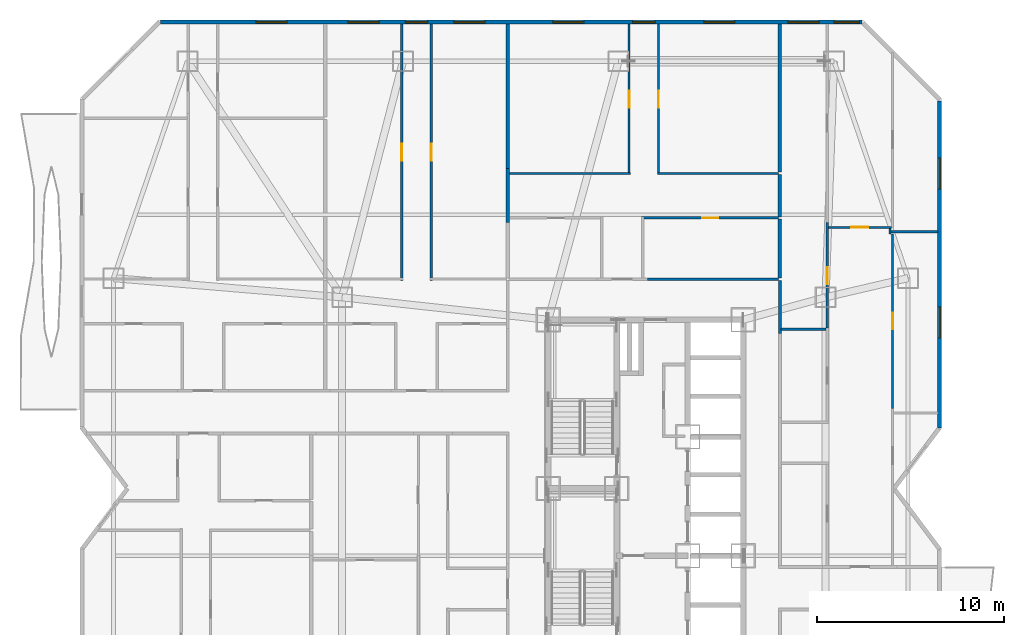
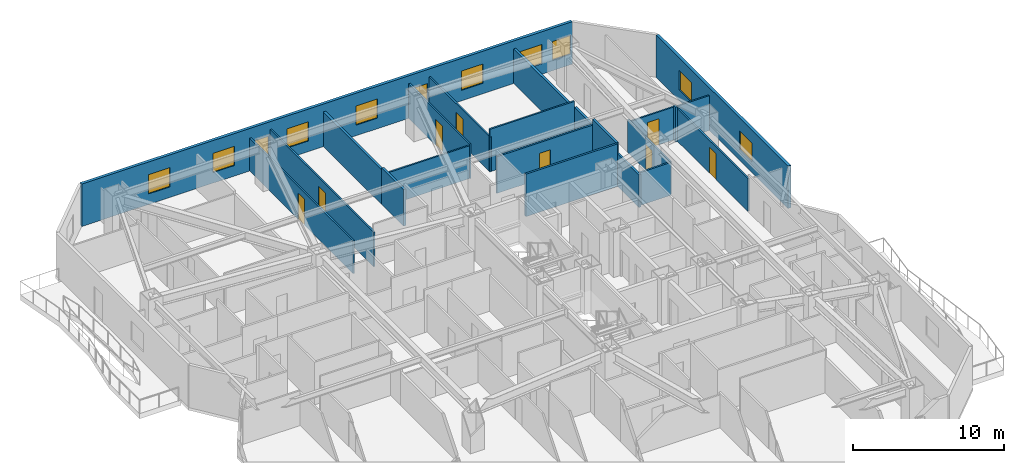
# One storey, part 13 of 16: 22 walls, 11 windows, 8 doors, 19 openings.
"""IFC4 building model written with IfcOpenShell, lengths in metres."""

from ifc_helpers import new_model, si_unit, direction, frame, frame_2d, origin, place, context, subcontext, project, spatial, rectangle, extrude, material, layer, layer_set, type_object, element, fill, save


model = new_model("IFC4")

# Units and contexts
model_context = context("Model", 3, precision=1e-05, world=origin(), true_north=direction((0.0, 1.0)))
body_context = subcontext(model_context, "Body", "Model", "MODEL_VIEW")
ifc_project = project(units=[si_unit("LENGTHUNIT", "METRE"), si_unit("AREAUNIT", "SQUARE_METRE"), si_unit("VOLUMEUNIT", "CUBIC_METRE"), si_unit("PLANEANGLEUNIT", "RADIAN"), si_unit("MASSUNIT", "GRAM", prefix="KILO")], contexts=[model_context])

# Site, building, storey
site_placement = place(None, origin())
site = spatial("IfcSite", under=ifc_project, at=site_placement, CompositionType="ELEMENT")
building_placement = place(site_placement, origin())
building = spatial("IfcBuilding", under=site, at=building_placement, Name="Khamvora Tower", CompositionType="ELEMENT")
storey_placement = place(building_placement, frame((0.0, 0.0, 55.199951171875)))
storey = spatial("IfcBuildingStorey", under=building, at=storey_placement, Name="L13", CompositionType="ELEMENT", Elevation=55.199951171875)

# Walls
ifc_material_1 = material(Name="Fire-Rated Drywall and Steel Stud", Category="steel")
ifc_layer_1 = layer(ifc_material_1, 0.14990234375)
ifc_layer_set_1 = layer_set([ifc_layer_1], Name="Fire-Rated Drywall and Steel Stud")
wall_type_1 = type_object("IfcWallType", Name="WAL-CORR-150", PredefinedType="STANDARD", material=ifc_layer_set_1)
wall_1_placement = place(storey_placement, frame((34.299072265625, 39.1650390625, 0.0), z_axis=(0.0, 0.0, 1.0), x_axis=(1.0, 0.0, 0.0)))
element("IfcWall", 1, at=wall_1_placement, inside=storey, type_object=wall_type_1, Name="L13 interior partition wall 027", PredefinedType="STANDARD", context=body_context, shape_type="SweptSolid", body=[
    extrude(rectangle(XDim=7.0009765625, YDim=0.14990234375, at=frame_2d((3.50048828125, 0.0))), origin(), (0.0, 0.0, 1.0), 3.429931640625),
])
wall_2_placement = place(storey_placement, frame((41.364990234375, 39.10009765625, 0.0), z_axis=(0.0, 0.0, 1.0), x_axis=(0.0, -1.0, 0.0)))
element("IfcWall", 2, at=wall_2_placement, inside=storey, type_object=wall_type_1, Name="L13 interior partition wall 033", PredefinedType="STANDARD", context=body_context, shape_type="SweptSolid", body=[
    extrude(rectangle(XDim=2.843017578125, YDim=0.14990234375, at=frame_2d((1.42138671875, 0.0))), origin(), (0.0, 0.0, 1.0), 2.64697265625),
])
ifc_material_2 = material(Name="Acoustic Double-Stud Fire Wall", Category="gypsum")
ifc_layer_2 = layer(ifc_material_2, 0.179931640625)
ifc_layer_set_2 = layer_set([ifc_layer_2], Name="Acoustic Double-Stud Fire Wall")
wall_type_2 = type_object("IfcWallType", Name="WAL-CORR-180", PredefinedType="STANDARD", material=ifc_layer_set_2)
wall_3_placement = place(storey_placement, frame((26.8349609375, 45.06298828125, 0.0), z_axis=(0.0, 0.0, 1.0), x_axis=(0.0, -1.0, 0.0)))
element("IfcWall", 3, at=wall_3_placement, inside=storey, type_object=wall_type_2, Name="L13 interior partition wall 099", PredefinedType="STANDARD", context=body_context, shape_type="SweptSolid", body=[
    extrude(rectangle(XDim=2.8779296875, YDim=0.179931640625, at=frame_2d((1.43896484375, 0.0))), origin(), (0.0, 0.0, 1.0), 2.95703125),
])
wall_4_placement = place(storey_placement, frame((26.8349609375, 52.7880859375, 0.0), z_axis=(0.0, 0.0, 1.0), x_axis=(0.0, -1.0, 0.0)))
element("IfcWall", 4, at=wall_4_placement, inside=storey, type_object=wall_type_2, Name="L13 interior partition wall 101", PredefinedType="STANDARD", context=body_context, shape_type="SweptSolid", body=[
    extrude(rectangle(XDim=7.72509765625, YDim=0.179931640625, at=frame_2d((3.862548828125, 0.0))), origin(), (0.0, 0.0, 1.0), 2.802978515625),
])
wall_5_placement = place(storey_placement, frame((41.364990234375, 44.7490234375, 0.0), z_axis=(0.0, 0.0, 1.0), x_axis=(0.0, -1.0, 0.0)))
element("IfcWall", 5, at=wall_5_placement, inside=storey, type_object=wall_type_2, Name="L13 interior partition wall 122", PredefinedType="STANDARD", context=body_context, shape_type="SweptSolid", body=[
    extrude(rectangle(XDim=2.25, YDim=0.179931640625, at=frame_2d((1.125, 0.0))), origin(), (0.0, 0.0, 1.0), 2.95703125),
])
wall_6_placement = place(storey_placement, frame((41.364990234375, 42.368896484375, 0.0), z_axis=(0.0, 0.0, 1.0), x_axis=(0.0, -1.0, 0.0)))
element("IfcWall", 6, at=wall_6_placement, inside=storey, type_object=wall_type_2, Name="L13 interior partition wall 123", PredefinedType="STANDARD", context=body_context, shape_type="SweptSolid", body=[
    extrude(rectangle(XDim=3.138916015625, YDim=0.179931640625, at=frame_2d((1.5693359375, 0.0))), origin(), (0.0, 0.0, 1.0), 3.429931640625),
])
wall_7_placement = place(storey_placement, frame((41.364990234375, 52.7880859375, 0.0), z_axis=(0.0, 0.0, 1.0), x_axis=(0.0, -1.0, 0.0)))
element("IfcWall", 7, at=wall_7_placement, inside=storey, type_object=wall_type_2, Name="L13 interior partition wall 124", PredefinedType="STANDARD", context=body_context, shape_type="SweptSolid", body=[
    extrude(rectangle(XDim=7.9091796875, YDim=0.179931640625, at=frame_2d((3.95458984375, 0.0))), origin(), (0.0, 0.0, 1.0), 2.802978515625),
])

# Wall, openings, windows
ifc_material_3 = material(Name="Precast concrete C40/50", Category="concrete")
ifc_layer_3 = layer(ifc_material_3, 0.219970703125)
ifc_layer_set_3 = layer_set([ifc_layer_3], Name="Precast concrete C40/50")
wall_type_3 = type_object("IfcWallType", Name="WAL-EXT-220", PredefinedType="STANDARD", material=ifc_layer_set_3)
wall_8_placement = place(storey_placement, frame((8.31494140625, 52.889892578125, 0.0), z_axis=(0.0, 0.0, 1.0), x_axis=(1.0, 0.0, 0.0)))
wall_8 = element("IfcWall", 8, at=wall_8_placement, inside=storey, type_object=wall_type_3, Name="L13 exterior facade wall 07.1", PredefinedType="STANDARD", context=body_context, shape_type="SweptSolid", body=[
    extrude(rectangle(XDim=37.43896484375, YDim=0.219970703125, at=frame_2d((18.719482421875, 0.0))), origin(), (0.0, 0.0, 1.0), 3.429931640625),
])
opening_1_placement = place(wall_8_placement, frame((5.093017578125, 0.0, 0.85009765625)))
opening_1 = element("IfcOpeningElement", 9, at=opening_1_placement, cuts=wall_8, Name="Opening WN-06", PredefinedType="OPENING", context=body_context, shape_type="SweptSolid", body=[
    extrude(rectangle(XDim=1.64990234375, YDim=1.550048828125, at=frame_2d((0.824951171875, 0.77490234375))), frame((0.0, 0.119873046875, 0.0), z_axis=(0.0, -1.0, 0.0), x_axis=(1.0, 0.0, 0.0)), (0.0, 0.0, 1.0), 0.239990234375),
])
opening_2_placement = place(wall_8_placement, frame((13.054931640625, 0.0, 0.800048828125)))
opening_2 = element("IfcOpeningElement", 10, at=opening_2_placement, cuts=wall_8, Name="Opening WN-03", PredefinedType="OPENING", context=body_context, shape_type="SweptSolid", body=[
    extrude(rectangle(XDim=1.199951171875, YDim=1.5, at=frame_2d((0.60009765625, 0.75))), frame((0.0, 0.119873046875, 0.0), z_axis=(0.0, -1.0, 0.0), x_axis=(1.0, 0.0, 0.0)), (0.0, 0.0, 1.0), 0.239990234375),
])
opening_3_placement = place(wall_8_placement, frame((10.0048828125, 0.0, 0.85009765625)))
opening_3 = element("IfcOpeningElement", 11, at=opening_3_placement, cuts=wall_8, Name="Opening WN-06", PredefinedType="OPENING", context=body_context, shape_type="SweptSolid", body=[
    extrude(rectangle(XDim=1.64990234375, YDim=1.550048828125, at=frame_2d((0.824951171875, 0.77490234375))), frame((0.0, 0.119873046875, 0.0), z_axis=(0.0, -1.0, 0.0), x_axis=(1.0, 0.0, 0.0)), (0.0, 0.0, 1.0), 0.239990234375),
])
opening_4_placement = place(wall_8_placement, frame((15.655029296875, 0.0, 0.85009765625)))
opening_4 = element("IfcOpeningElement", 12, at=opening_4_placement, cuts=wall_8, Name="Opening WN-06", PredefinedType="OPENING", context=body_context, shape_type="SweptSolid", body=[
    extrude(rectangle(XDim=1.64990234375, YDim=1.550048828125, at=frame_2d((0.824951171875, 0.77490234375))), frame((0.0, 0.119873046875, 0.0), z_axis=(0.0, -1.0, 0.0), x_axis=(1.0, 0.0, 0.0)), (0.0, 0.0, 1.0), 0.239990234375),
])
opening_5_placement = place(wall_8_placement, frame((25.18505859375, 0.0, 0.800048828125)))
opening_5 = element("IfcOpeningElement", 13, at=opening_5_placement, cuts=wall_8, Name="Opening WN-03", PredefinedType="OPENING", context=body_context, shape_type="SweptSolid", body=[
    extrude(rectangle(XDim=1.199951171875, YDim=1.5, at=frame_2d((0.60009765625, 0.75))), frame((0.0, 0.119873046875, 0.0), z_axis=(0.0, -1.0, 0.0), x_axis=(1.0, 0.0, 0.0)), (0.0, 0.0, 1.0), 0.239990234375),
])
opening_6_placement = place(wall_8_placement, frame((20.93505859375, 0.0, 0.85009765625)))
opening_6 = element("IfcOpeningElement", 14, at=opening_6_placement, cuts=wall_8, Name="Opening WN-06", PredefinedType="OPENING", context=body_context, shape_type="SweptSolid", body=[
    extrude(rectangle(XDim=1.64990234375, YDim=1.550048828125, at=frame_2d((0.824951171875, 0.77490234375))), frame((0.0, 0.119873046875, 0.0), z_axis=(0.0, -1.0, 0.0), x_axis=(1.0, 0.0, 0.0)), (0.0, 0.0, 1.0), 0.239990234375),
])
opening_7_placement = place(wall_8_placement, frame((28.985107421875, 0.0, 0.85009765625)))
opening_7 = element("IfcOpeningElement", 15, at=opening_7_placement, cuts=wall_8, Name="Opening WN-06", PredefinedType="OPENING", context=body_context, shape_type="SweptSolid", body=[
    extrude(rectangle(XDim=1.64990234375, YDim=1.550048828125, at=frame_2d((0.824951171875, 0.77490234375))), frame((0.0, 0.119873046875, 0.0), z_axis=(0.0, -1.0, 0.0), x_axis=(1.0, 0.0, 0.0)), (0.0, 0.0, 1.0), 0.239990234375),
])
opening_8_placement = place(wall_8_placement, frame((33.489990234375, 0.0, 0.85009765625)))
opening_8 = element("IfcOpeningElement", 16, at=opening_8_placement, cuts=wall_8, Name="Opening WN-06", PredefinedType="OPENING", context=body_context, shape_type="SweptSolid", body=[
    extrude(rectangle(XDim=1.64990234375, YDim=1.550048828125, at=frame_2d((0.824951171875, 0.77490234375))), frame((0.0, 0.119873046875, 0.0), z_axis=(0.0, -1.0, 0.0), x_axis=(1.0, 0.0, 0.0)), (0.0, 0.0, 1.0), 0.239990234375),
])
opening_9_placement = place(wall_8_placement, frame((35.94189453125, 0.0, 0.85009765625)))
opening_9 = element("IfcOpeningElement", 17, at=opening_9_placement, cuts=wall_8, Name="Opening WN-07", PredefinedType="OPENING", context=body_context, shape_type="SweptSolid", body=[
    extrude(rectangle(XDim=1.35009765625, YDim=1.5, at=frame_2d((0.675048828125, 0.75))), frame((0.0, 0.119873046875, 0.0), z_axis=(0.0, -1.0, 0.0), x_axis=(1.0, 0.0, 0.0)), (0.0, 0.0, 1.0), 0.239990234375),
])
ifc_material_4 = material(Name="Low-E Laminated Double Glazing", Category="glass")
window_type_1 = type_object("IfcWindowType", Name="WIN-VIS-1200x1500", PartitioningType="SINGLE_PANEL", PredefinedType="WINDOW", material=ifc_material_4)
window_1_placement = place(opening_2_placement, origin())
window_1 = element("IfcWindow", 18, at=window_1_placement, inside=storey, type_object=window_type_1, Name="L13 vision window 07.1.02", OverallHeight=1.5, OverallWidth=1.199951171875, PartitioningType="SINGLE_PANEL", PredefinedType="WINDOW", context=body_context, shape_type="SweptSolid", body=[
    extrude(rectangle(XDim=1.199951171875, YDim=1.5, at=frame_2d((0.60009765625, 0.75))), frame((0.0, 0.030029296875, 0.0), z_axis=(0.0, -1.0, 0.0), x_axis=(1.0, 0.0, 0.0)), (0.0, 0.0, 1.0), 0.06005859375),
])
fill(opening_2, window_1)
window_2_placement = place(opening_5_placement, origin())
window_2 = element("IfcWindow", 19, at=window_2_placement, inside=storey, type_object=window_type_1, Name="L13 vision window 07.1.05", OverallHeight=1.5, OverallWidth=1.199951171875, PartitioningType="SINGLE_PANEL", PredefinedType="WINDOW", context=body_context, shape_type="SweptSolid", body=[
    extrude(rectangle(XDim=1.199951171875, YDim=1.5, at=frame_2d((0.60009765625, 0.75))), frame((0.0, 0.030029296875, 0.0), z_axis=(0.0, -1.0, 0.0), x_axis=(1.0, 0.0, 0.0)), (0.0, 0.0, 1.0), 0.06005859375),
])
fill(opening_5, window_2)
window_type_2 = type_object("IfcWindowType", Name="WIN-VIS-1350x1500", PartitioningType="SINGLE_PANEL", PredefinedType="WINDOW", material=ifc_material_4)
window_3_placement = place(opening_9_placement, origin())
window_3 = element("IfcWindow", 20, at=window_3_placement, inside=storey, type_object=window_type_2, Name="L13 vision window 07.1.09", OverallHeight=1.5, OverallWidth=1.35009765625, PartitioningType="SINGLE_PANEL", PredefinedType="WINDOW", context=body_context, shape_type="SweptSolid", body=[
    extrude(rectangle(XDim=1.35009765625, YDim=1.5, at=frame_2d((0.675048828125, 0.75))), frame((0.0, 0.030029296875, 0.0), z_axis=(0.0, -1.0, 0.0), x_axis=(1.0, 0.0, 0.0)), (0.0, 0.0, 1.0), 0.06005859375),
])
fill(opening_9, window_3)
window_type_3 = type_object("IfcWindowType", Name="WIN-VIS-1650x1550", PartitioningType="SINGLE_PANEL", PredefinedType="WINDOW", material=ifc_material_4)
window_4_placement = place(opening_1_placement, origin())
window_4 = element("IfcWindow", 21, at=window_4_placement, inside=storey, type_object=window_type_3, Name="L13 vision window 07.1.01", OverallHeight=1.550048828125, OverallWidth=1.64990234375, PartitioningType="SINGLE_PANEL", PredefinedType="WINDOW", context=body_context, shape_type="SweptSolid", body=[
    extrude(rectangle(XDim=1.64990234375, YDim=1.550048828125, at=frame_2d((0.824951171875, 0.77490234375))), frame((0.0, 0.030029296875, 0.0), z_axis=(0.0, -1.0, 0.0), x_axis=(1.0, 0.0, 0.0)), (0.0, 0.0, 1.0), 0.06005859375),
])
fill(opening_1, window_4)
window_5_placement = place(opening_3_placement, origin())
window_5 = element("IfcWindow", 22, at=window_5_placement, inside=storey, type_object=window_type_3, Name="L13 vision window 07.1.03", OverallHeight=1.550048828125, OverallWidth=1.64990234375, PartitioningType="SINGLE_PANEL", PredefinedType="WINDOW", context=body_context, shape_type="SweptSolid", body=[
    extrude(rectangle(XDim=1.64990234375, YDim=1.550048828125, at=frame_2d((0.824951171875, 0.77490234375))), frame((0.0, 0.030029296875, 0.0), z_axis=(0.0, -1.0, 0.0), x_axis=(1.0, 0.0, 0.0)), (0.0, 0.0, 1.0), 0.06005859375),
])
fill(opening_3, window_5)
window_6_placement = place(opening_4_placement, origin())
window_6 = element("IfcWindow", 23, at=window_6_placement, inside=storey, type_object=window_type_3, Name="L13 vision window 07.1.04", OverallHeight=1.550048828125, OverallWidth=1.64990234375, PartitioningType="SINGLE_PANEL", PredefinedType="WINDOW", context=body_context, shape_type="SweptSolid", body=[
    extrude(rectangle(XDim=1.64990234375, YDim=1.550048828125, at=frame_2d((0.824951171875, 0.77490234375))), frame((0.0, 0.030029296875, 0.0), z_axis=(0.0, -1.0, 0.0), x_axis=(1.0, 0.0, 0.0)), (0.0, 0.0, 1.0), 0.06005859375),
])
fill(opening_4, window_6)
window_7_placement = place(opening_6_placement, origin())
window_7 = element("IfcWindow", 24, at=window_7_placement, inside=storey, type_object=window_type_3, Name="L13 vision window 07.1.06", OverallHeight=1.550048828125, OverallWidth=1.64990234375, PartitioningType="SINGLE_PANEL", PredefinedType="WINDOW", context=body_context, shape_type="SweptSolid", body=[
    extrude(rectangle(XDim=1.64990234375, YDim=1.550048828125, at=frame_2d((0.824951171875, 0.77490234375))), frame((0.0, 0.030029296875, 0.0), z_axis=(0.0, -1.0, 0.0), x_axis=(1.0, 0.0, 0.0)), (0.0, 0.0, 1.0), 0.06005859375),
])
fill(opening_6, window_7)
window_8_placement = place(opening_7_placement, origin())
window_8 = element("IfcWindow", 25, at=window_8_placement, inside=storey, type_object=window_type_3, Name="L13 vision window 07.1.07", OverallHeight=1.550048828125, OverallWidth=1.64990234375, PartitioningType="SINGLE_PANEL", PredefinedType="WINDOW", context=body_context, shape_type="SweptSolid", body=[
    extrude(rectangle(XDim=1.64990234375, YDim=1.550048828125, at=frame_2d((0.824951171875, 0.77490234375))), frame((0.0, 0.030029296875, 0.0), z_axis=(0.0, -1.0, 0.0), x_axis=(1.0, 0.0, 0.0)), (0.0, 0.0, 1.0), 0.06005859375),
])
fill(opening_7, window_8)
window_9_placement = place(opening_8_placement, origin())
window_9 = element("IfcWindow", 26, at=window_9_placement, inside=storey, type_object=window_type_3, Name="L13 vision window 07.1.08", OverallHeight=1.550048828125, OverallWidth=1.64990234375, PartitioningType="SINGLE_PANEL", PredefinedType="WINDOW", context=body_context, shape_type="SweptSolid", body=[
    extrude(rectangle(XDim=1.64990234375, YDim=1.550048828125, at=frame_2d((0.824951171875, 0.77490234375))), frame((0.0, 0.030029296875, 0.0), z_axis=(0.0, -1.0, 0.0), x_axis=(1.0, 0.0, 0.0)), (0.0, 0.0, 1.0), 0.06005859375),
])
fill(opening_8, window_9)

wall_9_placement = place(storey_placement, frame((49.889892578125, 48.68310546875, 0.0), z_axis=(0.0, 0.0, 1.0), x_axis=(0.0, -1.0, 0.0)))
wall_9 = element("IfcWall", 27, at=wall_9_placement, inside=storey, type_object=wall_type_3, Name="L13 exterior facade wall 09.1", PredefinedType="STANDARD", context=body_context, shape_type="SweptSolid", body=[
    extrude(rectangle(XDim=17.446044921875, YDim=0.219970703125, at=frame_2d((8.72314453125, 0.0))), origin(), (0.0, 0.0, 1.0), 3.429931640625),
])
opening_10_placement = place(wall_9_placement, frame((10.99609375, 0.0, 0.85009765625)))
opening_10 = element("IfcOpeningElement", 28, at=opening_10_placement, cuts=wall_9, Name="Opening WN-06", PredefinedType="OPENING", context=body_context, shape_type="SweptSolid", body=[
    extrude(rectangle(XDim=1.64990234375, YDim=1.550048828125, at=frame_2d((0.824951171875, 0.77490234375))), frame((0.0, 0.119873046875, 0.0), z_axis=(0.0, -1.0, 0.0), x_axis=(1.0, 0.0, 0.0)), (0.0, 0.0, 1.0), 0.239990234375),
])
opening_11_placement = place(wall_9_placement, frame((3.06103515625, 0.0, 0.85009765625)))
opening_11 = element("IfcOpeningElement", 29, at=opening_11_placement, cuts=wall_9, Name="Opening WN-06", PredefinedType="OPENING", context=body_context, shape_type="SweptSolid", body=[
    extrude(rectangle(XDim=1.64990234375, YDim=1.550048828125, at=frame_2d((0.824951171875, 0.77490234375))), frame((0.0, 0.119873046875, 0.0), z_axis=(0.0, -1.0, 0.0), x_axis=(1.0, 0.0, 0.0)), (0.0, 0.0, 1.0), 0.239990234375),
])
window_10_placement = place(opening_10_placement, origin())
window_10 = element("IfcWindow", 30, at=window_10_placement, inside=storey, type_object=window_type_3, Name="L13 vision window 09.1.01", OverallHeight=1.550048828125, OverallWidth=1.64990234375, PartitioningType="SINGLE_PANEL", PredefinedType="WINDOW", context=body_context, shape_type="SweptSolid", body=[
    extrude(rectangle(XDim=1.64990234375, YDim=1.550048828125, at=frame_2d((0.824951171875, 0.77490234375))), frame((0.0, 0.030029296875, 0.0), z_axis=(0.0, -1.0, 0.0), x_axis=(1.0, 0.0, 0.0)), (0.0, 0.0, 1.0), 0.06005859375),
])
fill(opening_10, window_10)
window_11_placement = place(opening_11_placement, origin())
window_11 = element("IfcWindow", 31, at=window_11_placement, inside=storey, type_object=window_type_3, Name="L13 vision window 09.1.02", OverallHeight=1.550048828125, OverallWidth=1.64990234375, PartitioningType="SINGLE_PANEL", PredefinedType="WINDOW", context=body_context, shape_type="SweptSolid", body=[
    extrude(rectangle(XDim=1.64990234375, YDim=1.550048828125, at=frame_2d((0.824951171875, 0.77490234375))), frame((0.0, 0.030029296875, 0.0), z_axis=(0.0, -1.0, 0.0), x_axis=(1.0, 0.0, 0.0)), (0.0, 0.0, 1.0), 0.06005859375),
])
fill(opening_11, window_11)

# Wall, opening, door
ifc_material_5 = material(Name="Gypsum Plasterboard Partition", Category="gypsum")
ifc_layer_4 = layer(ifc_material_5, 0.1201171875)
ifc_layer_set_4 = layer_set([ifc_layer_4], Name="Gypsum Plasterboard Partition")
wall_type_4 = type_object("IfcWallType", Name="WAL-PART-120", PredefinedType="PARTITIONING", material=ifc_layer_set_4)
wall_10_placement = place(storey_placement, frame((21.18505859375, 39.110107421875, 0.0), z_axis=(0.0, 0.0, 1.0), x_axis=(0.0, 1.0, 0.0)))
wall_10 = element("IfcWall", 32, at=wall_10_placement, inside=storey, type_object=wall_type_4, Name="L13 interior partition wall 096", PredefinedType="PARTITIONING", context=body_context, shape_type="SweptSolid", body=[
    extrude(rectangle(XDim=13.677978515625, YDim=0.1201171875, at=frame_2d((6.8388671875, 0.0))), origin(), (0.0, 0.0, 1.0), 2.64697265625),
])
opening_12_placement = place(wall_10_placement, frame((6.388916015625, 0.0, 0.0)))
opening_12 = element("IfcOpeningElement", 33, at=opening_12_placement, cuts=wall_10, Name="Opening D-RM1", PredefinedType="OPENING", context=body_context, shape_type="SweptSolid", body=[
    extrude(rectangle(XDim=0.89990234375, YDim=2.10009765625, at=frame_2d((0.449951171875, 1.050048828125))), frame((0.0, 0.070068359375, 0.0), z_axis=(0.0, -1.0, 0.0), x_axis=(1.0, 0.0, 0.0)), (0.0, 0.0, 1.0), 0.14013671875),
])
ifc_material_6 = material(Name="Powder-Coated Steel and Hardwood Leaf", Category="steel")
door_type_1 = type_object("IfcDoorType", Name="DOR-ROOM-900", OperationType="NOTDEFINED", PredefinedType="DOOR", material=ifc_material_6)
door_1_placement = place(opening_12_placement, origin())
door_1 = element("IfcDoor", 34, at=door_1_placement, inside=storey, type_object=door_type_1, Name="L13 interior door 13WCH-13WCR1", OperationType="SINGLE_SWING_LEFT", OverallHeight=2.10009765625, OverallWidth=0.89990234375, PredefinedType="DOOR", context=body_context, shape_type="SweptSolid", body=[
    extrude(rectangle(XDim=0.89990234375, YDim=2.10009765625, at=frame_2d((0.449951171875, 1.050048828125))), frame((0.0, 0.02490234375, 0.0), z_axis=(0.0, -1.0, 0.0), x_axis=(1.0, 0.0, 0.0)), (0.0, 0.0, 1.0), 0.050048828125),
])
fill(opening_12, door_1)

wall_11_placement = place(storey_placement, frame((22.7548828125, 52.7880859375, 0.0), z_axis=(0.0, 0.0, 1.0), x_axis=(0.0, -1.0, 0.0)))
wall_11 = element("IfcWall", 35, at=wall_11_placement, inside=storey, type_object=wall_type_4, Name="L13 interior partition wall 097", PredefinedType="PARTITIONING", context=body_context, shape_type="SweptSolid", body=[
    extrude(rectangle(XDim=13.677978515625, YDim=0.1201171875, at=frame_2d((6.8388671875, 0.0))), origin(), (0.0, 0.0, 1.0), 2.802978515625),
])
opening_13_placement = place(wall_11_placement, frame((6.388916015625, 0.0, 0.0)))
opening_13 = element("IfcOpeningElement", 36, at=opening_13_placement, cuts=wall_11, Name="Opening D-RM1", PredefinedType="OPENING", context=body_context, shape_type="SweptSolid", body=[
    extrude(rectangle(XDim=0.89990234375, YDim=2.10009765625, at=frame_2d((0.449951171875, 1.050048828125))), frame((0.0, 0.070068359375, 0.0), z_axis=(0.0, -1.0, 0.0), x_axis=(1.0, 0.0, 0.0)), (0.0, 0.0, 1.0), 0.14013671875),
])
door_2_placement = place(opening_13_placement, origin())
door_2 = element("IfcDoor", 37, at=door_2_placement, inside=storey, type_object=door_type_1, Name="L13 interior door 13WCH-13WCR2", OperationType="SINGLE_SWING_RIGHT", OverallHeight=2.10009765625, OverallWidth=0.89990234375, PredefinedType="DOOR", context=body_context, shape_type="SweptSolid", body=[
    extrude(rectangle(XDim=0.89990234375, YDim=2.10009765625, at=frame_2d((0.449951171875, 1.050048828125))), frame((0.0, 0.02490234375, 0.0), z_axis=(0.0, -1.0, 0.0), x_axis=(1.0, 0.0, 0.0)), (0.0, 0.0, 1.0), 0.050048828125),
])
fill(opening_13, door_2)

# Wall
wall_12_placement = place(storey_placement, frame((26.9169921875, 44.81396484375, 0.0), z_axis=(0.0, 0.0, 1.0), x_axis=(1.0, 0.0, 0.0)))
element("IfcWall", 38, at=wall_12_placement, inside=storey, type_object=wall_type_4, Name="L13 interior partition wall 118", PredefinedType="PARTITIONING", context=body_context, shape_type="SweptSolid", body=[
    extrude(rectangle(XDim=6.462890625, YDim=0.1201171875, at=frame_2d((3.2314453125, 0.0))), origin(), (0.0, 0.0, 1.0), 2.64697265625),
])

# Wall, opening, door
wall_13_placement = place(storey_placement, frame((33.31494140625, 44.7490234375, 0.0), z_axis=(0.0, 0.0, 1.0), x_axis=(0.0, 1.0, 0.0)))
wall_13 = element("IfcWall", 39, at=wall_13_placement, inside=storey, type_object=wall_type_4, Name="L13 interior partition wall 119", PredefinedType="PARTITIONING", context=body_context, shape_type="SweptSolid", body=[
    extrude(rectangle(XDim=8.0390625, YDim=0.1201171875, at=frame_2d((4.01953125, 0.0))), origin(), (0.0, 0.0, 1.0), 2.802978515625),
])
opening_14_placement = place(wall_13_placement, frame((3.569091796875, 0.0, 0.0)))
opening_14 = element("IfcOpeningElement", 40, at=opening_14_placement, cuts=wall_13, Name="Opening D-RM1", PredefinedType="OPENING", context=body_context, shape_type="SweptSolid", body=[
    extrude(rectangle(XDim=0.89990234375, YDim=2.10009765625, at=frame_2d((0.449951171875, 1.050048828125))), frame((0.0, 0.070068359375, 0.0), z_axis=(0.0, -1.0, 0.0), x_axis=(1.0, 0.0, 0.0)), (0.0, 0.0, 1.0), 0.14013671875),
])
door_3_placement = place(opening_14_placement, origin())
door_3 = element("IfcDoor", 41, at=door_3_placement, inside=storey, type_object=door_type_1, Name="L13 interior door 13NAH-13NAR1", OperationType="SINGLE_SWING_LEFT", OverallHeight=2.10009765625, OverallWidth=0.89990234375, PredefinedType="DOOR", context=body_context, shape_type="SweptSolid", body=[
    extrude(rectangle(XDim=0.89990234375, YDim=2.10009765625, at=frame_2d((0.449951171875, 1.050048828125))), frame((0.0, 0.02490234375, 0.0), z_axis=(0.0, -1.0, 0.0), x_axis=(1.0, 0.0, 0.0)), (0.0, 0.0, 1.0), 0.050048828125),
])
fill(opening_14, door_3)

wall_14_placement = place(storey_placement, frame((34.885009765625, 52.7880859375, 0.0), z_axis=(0.0, 0.0, 1.0), x_axis=(0.0, -1.0, 0.0)))
wall_14 = element("IfcWall", 42, at=wall_14_placement, inside=storey, type_object=wall_type_4, Name="L13 interior partition wall 120", PredefinedType="PARTITIONING", context=body_context, shape_type="SweptSolid", body=[
    extrude(rectangle(XDim=8.0390625, YDim=0.1201171875, at=frame_2d((4.01953125, 0.0))), origin(), (0.0, 0.0, 1.0), 2.802978515625),
])
opening_15_placement = place(wall_14_placement, frame((3.569091796875, 0.0, 0.0)))
opening_15 = element("IfcOpeningElement", 43, at=opening_15_placement, cuts=wall_14, Name="Opening D-RM1", PredefinedType="OPENING", context=body_context, shape_type="SweptSolid", body=[
    extrude(rectangle(XDim=0.89990234375, YDim=2.10009765625, at=frame_2d((0.449951171875, 1.050048828125))), frame((0.0, 0.070068359375, 0.0), z_axis=(0.0, -1.0, 0.0), x_axis=(1.0, 0.0, 0.0)), (0.0, 0.0, 1.0), 0.14013671875),
])
door_4_placement = place(opening_15_placement, origin())
door_4 = element("IfcDoor", 44, at=door_4_placement, inside=storey, type_object=door_type_1, Name="L13 interior door 13NAH-13NAR2", OperationType="SINGLE_SWING_RIGHT", OverallHeight=2.10009765625, OverallWidth=0.89990234375, PredefinedType="DOOR", context=body_context, shape_type="SweptSolid", body=[
    extrude(rectangle(XDim=0.89990234375, YDim=2.10009765625, at=frame_2d((0.449951171875, 1.050048828125))), frame((0.0, 0.02490234375, 0.0), z_axis=(0.0, -1.0, 0.0), x_axis=(1.0, 0.0, 0.0)), (0.0, 0.0, 1.0), 0.050048828125),
])
fill(opening_15, door_4)

# Wall
wall_15_placement = place(storey_placement, frame((34.820068359375, 44.81396484375, 0.0), z_axis=(0.0, 0.0, 1.0), x_axis=(1.0, 0.0, 0.0)))
element("IfcWall", 45, at=wall_15_placement, inside=storey, type_object=wall_type_4, Name="L13 interior partition wall 121", PredefinedType="PARTITIONING", context=body_context, shape_type="SweptSolid", body=[
    extrude(rectangle(XDim=6.47998046875, YDim=0.1201171875, at=frame_2d((3.239990234375, 0.0))), origin(), (0.0, 0.0, 1.0), 3.429931640625),
])

# Wall, opening, door
wall_16_placement = place(storey_placement, frame((43.89501953125, 42.179931640625, 0.0), z_axis=(0.0, 0.0, 1.0), x_axis=(0.0, -1.0, 0.0)))
wall_16 = element("IfcWall", 46, at=wall_16_placement, inside=storey, type_object=wall_type_4, Name="L13 interior partition wall 133", PredefinedType="PARTITIONING", context=body_context, shape_type="SweptSolid", body=[
    extrude(rectangle(XDim=5.60888671875, YDim=0.1201171875, at=frame_2d((2.804443359375, 0.0))), origin(), (0.0, 0.0, 1.0), 2.64697265625),
])
opening_16_placement = place(wall_16_placement, frame((2.375, 0.0, 0.0)))
opening_16 = element("IfcOpeningElement", 47, at=opening_16_placement, cuts=wall_16, Name="Opening D-RM1", PredefinedType="OPENING", context=body_context, shape_type="SweptSolid", body=[
    extrude(rectangle(XDim=0.89990234375, YDim=2.10009765625, at=frame_2d((0.449951171875, 1.050048828125))), frame((0.0, 0.070068359375, 0.0), z_axis=(0.0, -1.0, 0.0), x_axis=(1.0, 0.0, 0.0)), (0.0, 0.0, 1.0), 0.14013671875),
])
door_5_placement = place(opening_16_placement, origin())
door_5 = element("IfcDoor", 48, at=door_5_placement, inside=storey, type_object=door_type_1, Name="L13 interior door 13EBW2-13EBH", OperationType="SINGLE_SWING_LEFT", OverallHeight=2.10009765625, OverallWidth=0.89990234375, PredefinedType="DOOR", context=body_context, shape_type="SweptSolid", body=[
    extrude(rectangle(XDim=0.89990234375, YDim=2.10009765625, at=frame_2d((0.449951171875, 1.050048828125))), frame((0.0, 0.02490234375, 0.0), z_axis=(0.0, -1.0, 0.0), x_axis=(1.0, 0.0, 0.0)), (0.0, 0.0, 1.0), 0.050048828125),
])
fill(opening_16, door_5)

wall_17_placement = place(storey_placement, frame((43.948974609375, 41.930908203125, 0.0), z_axis=(0.0, 0.0, 1.0), x_axis=(1.0, 0.0, 0.0)))
wall_17 = element("IfcWall", 49, at=wall_17_placement, inside=storey, type_object=wall_type_4, Name="L13 interior partition wall 136", PredefinedType="PARTITIONING", context=body_context, shape_type="SweptSolid", body=[
    extrude(rectangle(XDim=3.361083984375, YDim=0.1201171875, at=frame_2d((1.6806640625, 0.0))), origin(), (0.0, 0.0, 1.0), 2.64697265625),
])
opening_17_placement = place(wall_17_placement, frame((1.23095703125, 0.0, 0.0)))
opening_17 = element("IfcOpeningElement", 50, at=opening_17_placement, cuts=wall_17, Name="Opening D-RM1", PredefinedType="OPENING", context=body_context, shape_type="SweptSolid", body=[
    extrude(rectangle(XDim=0.89990234375, YDim=2.10009765625, at=frame_2d((0.449951171875, 1.050048828125))), frame((0.0, 0.070068359375, 0.0), z_axis=(0.0, -1.0, 0.0), x_axis=(1.0, 0.0, 0.0)), (0.0, 0.0, 1.0), 0.14013671875),
])
door_6_placement = place(opening_17_placement, origin())
door_6 = element("IfcDoor", 51, at=door_6_placement, inside=storey, type_object=door_type_1, Name="L13 interior door 13EBH-13EBD", OperationType="SINGLE_SWING_LEFT", OverallHeight=2.10009765625, OverallWidth=0.89990234375, PredefinedType="DOOR", context=body_context, shape_type="SweptSolid", body=[
    extrude(rectangle(XDim=0.89990234375, YDim=2.10009765625, at=frame_2d((0.449951171875, 1.050048828125))), frame((0.0, 0.02490234375, 0.0), z_axis=(0.0, -1.0, 0.0), x_axis=(1.0, 0.0, 0.0)), (0.0, 0.0, 1.0), 0.050048828125),
])
fill(opening_17, door_6)

# Wall
wall_18_placement = place(storey_placement, frame((47.2451171875, 41.865966796875, 0.0), z_axis=(0.0, 0.0, 1.0), x_axis=(0.0, -1.0, 0.0)))
element("IfcWall", 52, at=wall_18_placement, inside=storey, type_object=wall_type_4, Name="L13 interior partition wall 137", PredefinedType="PARTITIONING", context=body_context, shape_type="SweptSolid", body=[
    extrude(rectangle(XDim=0.27490234375, YDim=0.1201171875, at=frame_2d((0.137451171875, 0.0))), origin(), (0.0, 0.0, 1.0), 2.802978515625),
])

# Wall, opening, door
wall_19_placement = place(storey_placement, frame((47.375, 41.591064453125, 0.0), z_axis=(0.0, 0.0, 1.0), x_axis=(0.0, -1.0, 0.0)))
wall_19 = element("IfcWall", 53, at=wall_19_placement, inside=storey, type_object=wall_type_4, Name="L13 interior partition wall 143", PredefinedType="PARTITIONING", context=body_context, shape_type="SweptSolid", body=[
    extrude(rectangle(XDim=9.315185546875, YDim=0.1201171875, at=frame_2d((4.65771484375, 0.0))), origin(), (0.0, 0.0, 1.0), 2.64697265625),
])
opening_18_placement = place(wall_19_placement, frame((4.20703125, 0.0, 0.0)))
opening_18 = element("IfcOpeningElement", 54, at=opening_18_placement, cuts=wall_19, Name="Opening D-RM1", PredefinedType="OPENING", context=body_context, shape_type="SweptSolid", body=[
    extrude(rectangle(XDim=0.89990234375, YDim=2.10009765625, at=frame_2d((0.449951171875, 1.050048828125))), frame((0.0, 0.070068359375, 0.0), z_axis=(0.0, -1.0, 0.0), x_axis=(1.0, 0.0, 0.0)), (0.0, 0.0, 1.0), 0.14013671875),
])
door_7_placement = place(opening_18_placement, origin())
door_7 = element("IfcDoor", 55, at=door_7_placement, inside=storey, type_object=door_type_1, Name="L13 interior door 13EBH-13EBR2", OperationType="SINGLE_SWING_LEFT", OverallHeight=2.10009765625, OverallWidth=0.89990234375, PredefinedType="DOOR", context=body_context, shape_type="SweptSolid", body=[
    extrude(rectangle(XDim=0.89990234375, YDim=2.10009765625, at=frame_2d((0.449951171875, 1.050048828125))), frame((0.0, 0.02490234375, 0.0), z_axis=(0.0, -1.0, 0.0), x_axis=(1.0, 0.0, 0.0)), (0.0, 0.0, 1.0), 0.050048828125),
])
fill(opening_18, door_7)

# Wall
wall_20_placement = place(storey_placement, frame((47.299072265625, 41.697021484375, 0.0), z_axis=(0.0, 0.0, 1.0), x_axis=(1.0, 0.0, 0.0)))
element("IfcWall", 56, at=wall_20_placement, inside=storey, type_object=wall_type_4, Name="L13 interior partition wall 146", PredefinedType="PARTITIONING", context=body_context, shape_type="SweptSolid", body=[
    extrude(rectangle(XDim=2.489013671875, YDim=0.1201171875, at=frame_2d((1.24462890625, 0.0))), origin(), (0.0, 0.0, 1.0), 2.802978515625),
])

# Wall, opening, door
ifc_material_7 = material(Name="Moisture-Resistant Plasterboard Partition", Category="gypsum")
ifc_layer_5 = layer(ifc_material_7, 0.135009765625)
ifc_layer_set_5 = layer_set([ifc_layer_5], Name="Moisture-Resistant Plasterboard Partition")
wall_type_5 = type_object("IfcWallType", Name="WAL-WET-135", PredefinedType="PARTITIONING", material=ifc_layer_set_5)
wall_21_placement = place(storey_placement, frame((41.300048828125, 42.43408203125, 0.0), z_axis=(0.0, 0.0, 1.0), x_axis=(-1.0, 0.0, 0.0)))
wall_21 = element("IfcWall", 57, at=wall_21_placement, inside=storey, type_object=wall_type_5, Name="L13 interior partition wall 116", PredefinedType="PARTITIONING", context=body_context, shape_type="SweptSolid", body=[
    extrude(rectangle(XDim=7.31494140625, YDim=0.135009765625, at=frame_2d((3.657470703125, 0.0))), origin(), (0.0, 0.0, 1.0), 2.95703125),
])
opening_19_placement = place(wall_21_placement, frame((3.23291015625, 0.0, 0.0)))
opening_19 = element("IfcOpeningElement", 58, at=opening_19_placement, cuts=wall_21, Name="Opening D-RM2", PredefinedType="OPENING", context=body_context, shape_type="SweptSolid", body=[
    extrude(rectangle(XDim=0.85009765625, YDim=2.10009765625, at=frame_2d((0.425048828125, 1.050048828125))), frame((0.0, 0.077392578125, 0.0), z_axis=(0.0, -1.0, 0.0), x_axis=(1.0, 0.0, 0.0)), (0.0, 0.0, 1.0), 0.155029296875),
])
door_type_2 = type_object("IfcDoorType", Name="DOR-ROOM-850", OperationType="NOTDEFINED", PredefinedType="DOOR", material=ifc_material_6)
door_8_placement = place(opening_19_placement, origin())
door_8 = element("IfcDoor", 59, at=door_8_placement, inside=storey, type_object=door_type_2, Name="L13 interior door 13NAH-13NAK", OperationType="SINGLE_SWING_RIGHT", OverallHeight=2.10009765625, OverallWidth=0.85009765625, PredefinedType="DOOR", context=body_context, shape_type="SweptSolid", body=[
    extrude(rectangle(XDim=0.85009765625, YDim=2.10009765625, at=frame_2d((0.425048828125, 1.050048828125))), frame((0.0, 0.02490234375, 0.0), z_axis=(0.0, -1.0, 0.0), x_axis=(1.0, 0.0, 0.0)), (0.0, 0.0, 1.0), 0.050048828125),
])
fill(opening_19, door_8)

# Wall
wall_22_placement = place(storey_placement, frame((43.830078125, 36.506103515625, 0.0), z_axis=(0.0, 0.0, 1.0), x_axis=(-1.0, 0.0, 0.0)))
element("IfcWall", 60, at=wall_22_placement, inside=storey, type_object=wall_type_5, Name="L13 interior partition wall 135", PredefinedType="PARTITIONING", context=body_context, shape_type="SweptSolid", body=[
    extrude(rectangle(XDim=2.398193359375, YDim=0.135009765625, at=frame_2d((1.19921875, 0.0))), origin(), (0.0, 0.0, 1.0), 2.64697265625),
])

save(model, "model.ifc")
